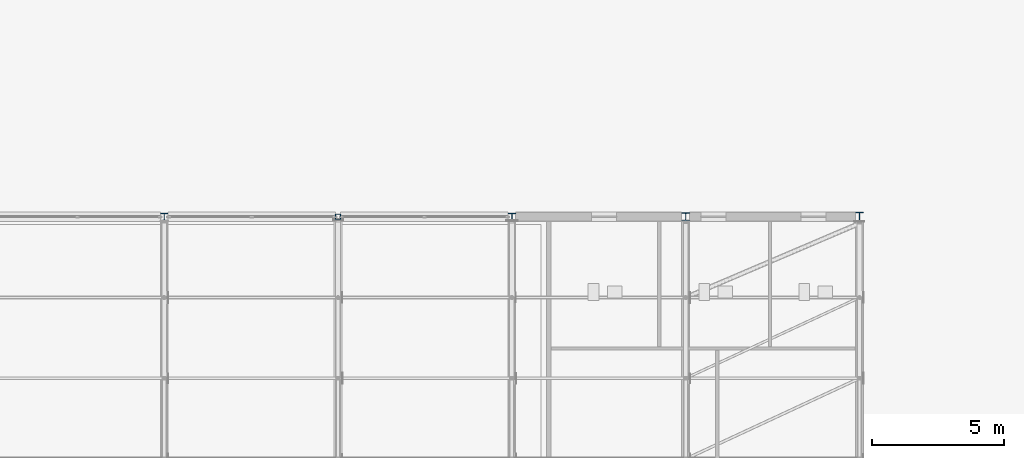
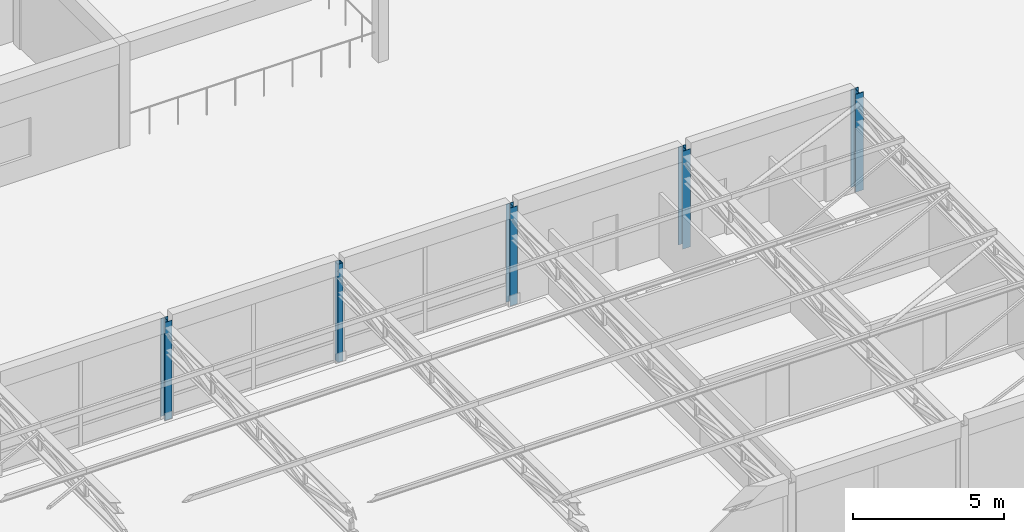
# One storey, part 5 of 92: 5 columns.
"""IFC4 building model written with IfcOpenShell, lengths in metres."""

from ifc_helpers import new_model, si_unit, direction, frame, origin, origin_2d, place, context, subcontext, project, spatial, hollow_rectangle, i_section, extrude, material, material_profile, profile_set, type_object, element, save


model = new_model("IFC4")

# Units and contexts
model_context = context("Model", 3, precision=1e-05, world=origin(), true_north=direction((0.0, 1.0)))
body_context = subcontext(model_context, "Body", "Model", "MODEL_VIEW")
ifc_project = project(units=[si_unit("LENGTHUNIT", "METRE"), si_unit("AREAUNIT", "SQUARE_METRE"), si_unit("VOLUMEUNIT", "CUBIC_METRE"), si_unit("PLANEANGLEUNIT", "RADIAN"), si_unit("MASSUNIT", "GRAM", prefix="KILO")], contexts=[model_context])

# Site, building, storey
site_placement = place(None, origin())
site = spatial("IfcSite", under=ifc_project, at=site_placement, CompositionType="ELEMENT")
building_placement = place(site_placement, origin())
building = spatial("IfcBuilding", under=site, at=building_placement, Name="Kernevlak Ridge Housing Community", CompositionType="ELEMENT")
storey_placement = place(building_placement, frame((0.0, 0.0, 4.199951171875)))
storey = spatial("IfcBuildingStorey", under=building, at=storey_placement, Name="L01", CompositionType="ELEMENT", Elevation=4.199951171875)

# Columns
ifc_material = material(Name="Steel S355", Category="steel")
ifc_material_profile_1 = material_profile(ifc_material, i_section(OverallWidth=0.300048828125, OverallDepth=0.340087890625, WebThickness=0.011962890625, FlangeThickness=0.021484375, FilletRadius=0.027099609375, at=origin_2d()), Name="HEB 340")
ifc_profile_set_1 = profile_set([ifc_material_profile_1], Name="Steel S355")
column_type_1 = type_object("IfcColumnType", Name="SC-01", PredefinedType="COLUMN", material=ifc_profile_set_1)
column_1_placement = place(storey_placement, frame((103.800048828125, 68.199951171875, 0.0), z_axis=(0.0, 0.0, 1.0), x_axis=(1.0, 0.0, 0.0)))
element("IfcColumn", 1, at=column_1_placement, inside=storey, type_object=column_type_1, Name="Column SC-01 COL-HALL-L01-6-1", PredefinedType="COLUMN", context=body_context, shape_type="SweptSolid", body=[
    extrude(i_section(OverallWidth=0.300048828125, OverallDepth=0.340087890625, WebThickness=0.011962890625, FlangeThickness=0.021484375, FilletRadius=0.027099609375, at=origin_2d()), origin(), (0.0, 0.0, 1.0), 3.9599609375),
])
ifc_material_profile_2 = material_profile(ifc_material, i_section(OverallWidth=0.300048828125, OverallDepth=0.300048828125, WebThickness=0.010986328125, FlangeThickness=0.01904296875, FilletRadius=0.027099609375, at=origin_2d()), Name="HEB 300")
ifc_profile_set_2 = profile_set([ifc_material_profile_2], Name="Steel S355")
column_type_2 = type_object("IfcColumnType", Name="SC-02", PredefinedType="COLUMN", material=ifc_profile_set_2)
column_2_placement = place(storey_placement, frame((97.199951171875, 68.199951171875, 0.0), z_axis=(0.0, 0.0, 1.0), x_axis=(1.0, 0.0, 0.0)))
element("IfcColumn", 2, at=column_2_placement, inside=storey, type_object=column_type_2, Name="Column SC-02 COL-HALL-L01-5-1", PredefinedType="COLUMN", context=body_context, shape_type="SweptSolid", body=[
    extrude(i_section(OverallWidth=0.300048828125, OverallDepth=0.300048828125, WebThickness=0.010986328125, FlangeThickness=0.01904296875, FilletRadius=0.027099609375, at=origin_2d()), origin(), (0.0, 0.0, 1.0), 3.9599609375),
])
ifc_material_profile_3 = material_profile(ifc_material, i_section(OverallWidth=0.280029296875, OverallDepth=0.280029296875, WebThickness=0.010498046875, FlangeThickness=0.01806640625, FilletRadius=0.02392578125, at=origin_2d()), Name="HEB 280")
ifc_profile_set_3 = profile_set([ifc_material_profile_3], Name="Steel S355")
column_type_3 = type_object("IfcColumnType", Name="SC-03", PredefinedType="COLUMN", material=ifc_profile_set_3)
for number, where, z_axis, x_axis, name in (
    (3, (77.39990234375, 68.199951171875, 0.0), (0.0, 0.0, 1.0), (1.0, 0.0, 0.0), "Column SC-03 COL-HALL-L01-2-1"),
    (4, (90.60009765625, 68.199951171875, 0.0), (0.0, 0.0, 1.0), (1.0, 0.0, 0.0), "Column SC-03 COL-HALL-L01-4-1"),
):
    element("IfcColumn", number, at=place(storey_placement, frame(where, z_axis=z_axis, x_axis=x_axis)), inside=storey, type_object=column_type_3, Name=name, PredefinedType="COLUMN", context=body_context, shape_type="SweptSolid", body=[
        extrude(i_section(OverallWidth=0.280029296875, OverallDepth=0.280029296875, WebThickness=0.010498046875, FlangeThickness=0.01806640625, FilletRadius=0.02392578125, at=origin_2d()), origin(), (0.0, 0.0, 1.0), 3.9599609375),
    ])
ifc_material_profile_4 = material_profile(ifc_material, hollow_rectangle(XDim=0.199951171875, YDim=0.199951171875, WallThickness=0.010009765625, InnerFilletRadius=0.010009765625, OuterFilletRadius=0.014892578125, at=origin_2d()), Name="SHS 200x200x10")
ifc_profile_set_4 = profile_set([ifc_material_profile_4], Name="Steel S355")
column_type_4 = type_object("IfcColumnType", Name="SC-07", PredefinedType="COLUMN", material=ifc_profile_set_4)
column_3_placement = place(storey_placement, frame((84.0, 68.199951171875, 0.0), z_axis=(0.0, 0.0, 1.0), x_axis=(1.0, 0.0, 0.0)))
element("IfcColumn", 5, at=column_3_placement, inside=storey, type_object=column_type_4, Name="Column SC-07 COL-HALL-L01-3-1", PredefinedType="COLUMN", context=body_context, shape_type="SweptSolid", body=[
    extrude(hollow_rectangle(XDim=0.199951171875, YDim=0.199951171875, WallThickness=0.010009765625, InnerFilletRadius=0.010009765625, OuterFilletRadius=0.014892578125, at=origin_2d()), origin(), (0.0, 0.0, 1.0), 3.9599609375),
])

save(model, "model.ifc")
